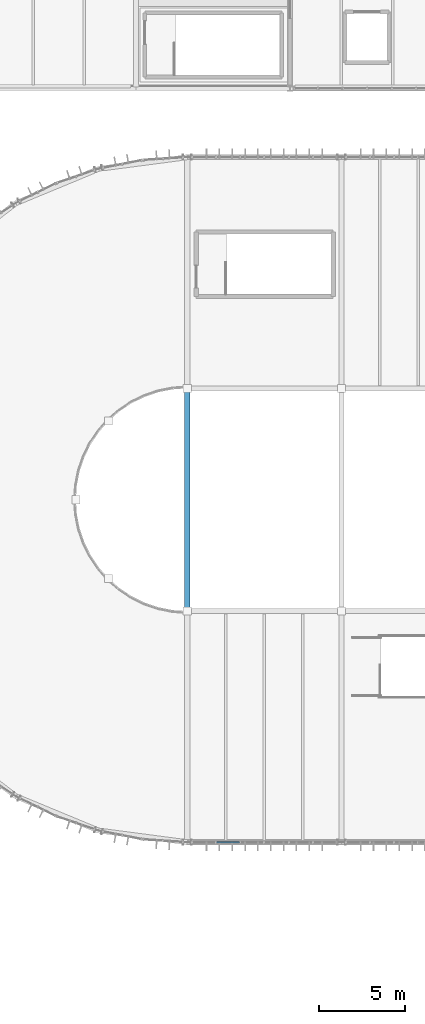
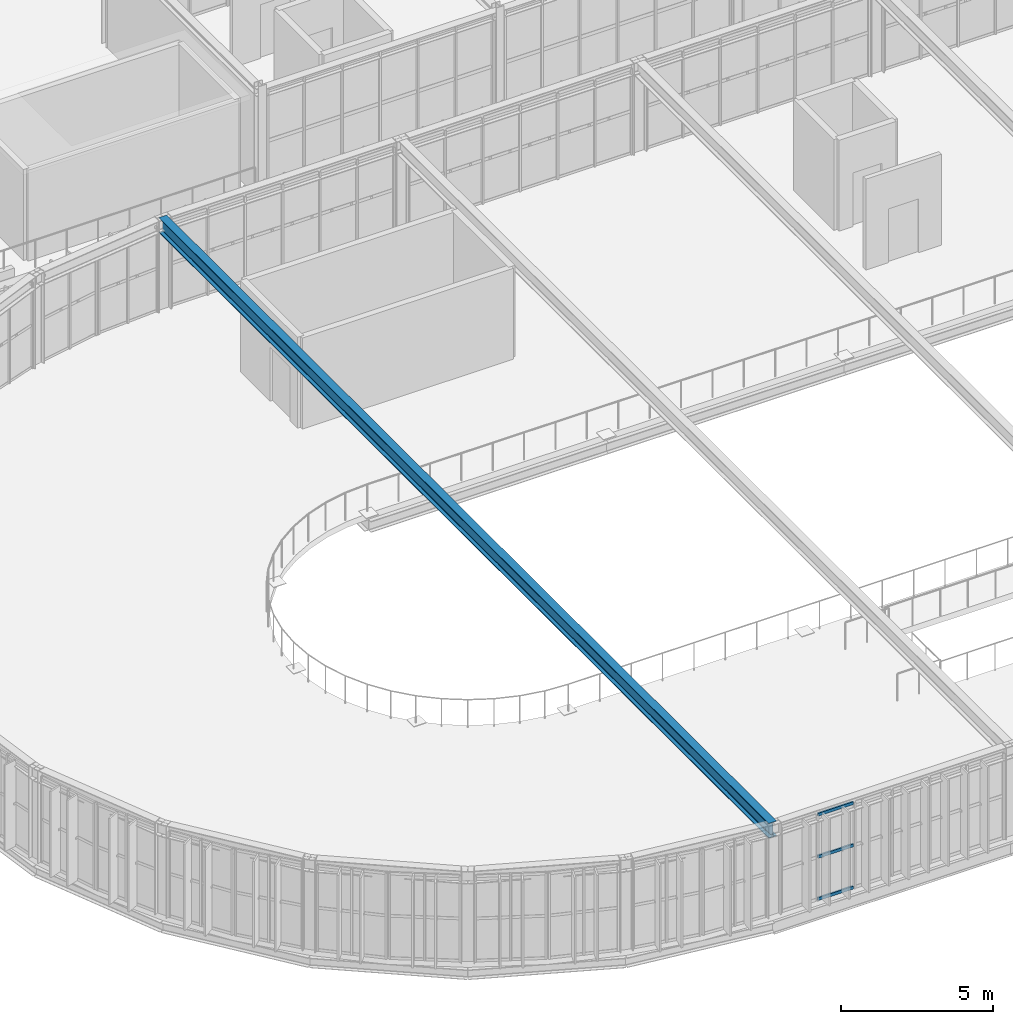
# One storey, part 18 of 152: 3 members, 1 beam, 1 element without a shape of its own.
"""IFC4 building model written with IfcOpenShell, lengths in metres."""

from ifc_helpers import new_model, si_unit, derived_unit, direction, frame, origin, origin_2d, place, context, subcontext, project, spatial, hollow_rectangle, i_section, extrude, material, material_profile, profile_set, type_object, element, aggregate, save


model = new_model("IFC4")

# Units and contexts
model_context = context("Model", 3, precision=1e-05, world=origin(), true_north=direction((0.0, 1.0)))
body_context = subcontext(model_context, "Body", "Model", "MODEL_VIEW")
ifc_project = project(units=[si_unit("LENGTHUNIT", "METRE"), si_unit("AREAUNIT", "SQUARE_METRE"), si_unit("VOLUMEUNIT", "CUBIC_METRE"), si_unit("PLANEANGLEUNIT", "RADIAN"), si_unit("MASSUNIT", "GRAM", prefix="KILO"), si_unit("THERMODYNAMICTEMPERATUREUNIT", "KELVIN"), si_unit("TIMEUNIT", "SECOND"), derived_unit("THERMALTRANSMITTANCEUNIT", [(si_unit("MASSUNIT", "GRAM", prefix="KILO"), 1), (si_unit("THERMODYNAMICTEMPERATUREUNIT", "KELVIN"), -1), (si_unit("TIMEUNIT", "SECOND"), -3)])], contexts=[model_context])

# Site, building, storey
site_placement = place(None, origin())
site = spatial("IfcSite", under=ifc_project, at=site_placement, CompositionType="ELEMENT")
building_placement = place(site_placement, origin())
building = spatial("IfcBuilding", under=site, at=building_placement, Name="Cambertide Market Hall", CompositionType="ELEMENT")
storey_placement = place(building_placement, frame((0.0, 0.0, 5.39990234375)))
storey = spatial("IfcBuildingStorey", under=building, at=storey_placement, Name="L02", CompositionType="ELEMENT", Elevation=5.39990234375)

# Curtain wall, members
ifc_material_1 = material(Name="Marine Anodized Aluminium 6063-T6 AA25", Category="aluminium")
curtain_wall_type = type_object("IfcCurtainWallType", Name="Lantern Straight Upper Curtain Wall", PredefinedType="USERDEFINED", material=ifc_material_1)
curtain_wall_placement = place(storey_placement, origin())
curtain_wall = element("IfcCurtainWall", 1, at=curtain_wall_placement, inside=storey, type_object=curtain_wall_type, Name="Level 2 Curtain Wall CW-V1S-L02-1", ObjectType="UNITIZED CURTAIN WALL", PredefinedType="USERDEFINED")
ifc_material_2 = material(Name="Champagne Marine Anodized Aluminium 6063-T6 AA25", Category="aluminium")
ifc_material_profile_1 = material_profile(ifc_material_2, hollow_rectangle(XDim=0.06494140625, YDim=0.1201171875, WallThickness=0.003173828125, at=origin_2d()), Name="ALU TRANSOM 65x120")
ifc_profile_set_1 = profile_set([ifc_material_profile_1], Name="Champagne Marine Anodized Aluminium 6063-T6 AA25")
member_type = type_object("IfcMemberType", Name="Curtain Wall Transom ALU TRANSOM 65x120", PredefinedType="USERDEFINED", material=ifc_profile_set_1)
member_1_placement = place(storey_placement, frame((45.043212890625, 52.0, 0.03515625), z_axis=(-1.0, 0.0, 0.0), x_axis=(0.0, -1.0, 0.0)))
member_1 = element("IfcMember", 2, at=member_1_placement, type_object=member_type, Name="CW-V1S-L02-1 Transom 1-5", ObjectType="TRANSOM", PredefinedType="USERDEFINED", context=body_context, shape_type="SweptSolid", body=[
    extrude(hollow_rectangle(XDim=0.06494140625, YDim=0.1201171875, WallThickness=0.003173828125, at=origin_2d()), origin(), (0.0, 0.0, 1.0), 1.33642578125),
])
member_2_placement = place(storey_placement, frame((45.043212890625, 52.0, 1.72509765625), z_axis=(-1.0, 0.0, 0.0), x_axis=(0.0, -1.0, 0.0)))
member_2 = element("IfcMember", 3, at=member_2_placement, type_object=member_type, Name="CW-V1S-L02-1 Transom 2-5", ObjectType="TRANSOM", PredefinedType="USERDEFINED", context=body_context, shape_type="SweptSolid", body=[
    extrude(hollow_rectangle(XDim=0.06494140625, YDim=0.1201171875, WallThickness=0.003173828125, at=origin_2d()), origin(), (0.0, 0.0, 1.0), 1.33642578125),
])
member_3_placement = place(storey_placement, frame((45.043212890625, 52.0, 3.4150390625), z_axis=(-1.0, 0.0, 0.0), x_axis=(0.0, -1.0, 0.0)))
member_3 = element("IfcMember", 4, at=member_3_placement, type_object=member_type, Name="CW-V1S-L02-1 Transom 3-5", ObjectType="TRANSOM", PredefinedType="USERDEFINED", context=body_context, shape_type="SweptSolid", body=[
    extrude(hollow_rectangle(XDim=0.06494140625, YDim=0.1201171875, WallThickness=0.003173828125, at=origin_2d()), origin(), (0.0, 0.0, 1.0), 1.33642578125),
])
aggregate(curtain_wall, [member_1, member_2, member_3])

# Beam
ifc_material_3 = material(Name="Steel S355", Category="steel")
ifc_material_profile_2 = material_profile(ifc_material_3, i_section(OverallWidth=0.300048828125, OverallDepth=0.60009765625, WebThickness=0.015380859375, FlangeThickness=0.030029296875, FilletRadius=0.027099609375, at=origin_2d()), Name="HEB 600")
ifc_profile_set_2 = profile_set([ifc_material_profile_2], Name="Steel S355")
beam_type = type_object("IfcBeamType", Name="Steel Girder HEB 600", PredefinedType="BEAM", material=ifc_profile_set_2)
beam_placement = place(storey_placement, frame((42.0, 52.0, 3.400146484375), z_axis=(0.0, 1.0, 0.0), x_axis=(-1.0, 0.0, 0.0)))
element("IfcBeam", 5, at=beam_placement, inside=storey, type_object=beam_type, Name="Level 2 Beam TR-TIE-1", PredefinedType="BEAM", context=body_context, shape_type="SweptSolid", body=[
    extrude(i_section(OverallWidth=0.300048828125, OverallDepth=0.60009765625, WebThickness=0.015380859375, FlangeThickness=0.030029296875, FilletRadius=0.027099609375, at=origin_2d()), origin(), (0.0, 0.0, 1.0), 40.0),
])

save(model, "model.ifc")
